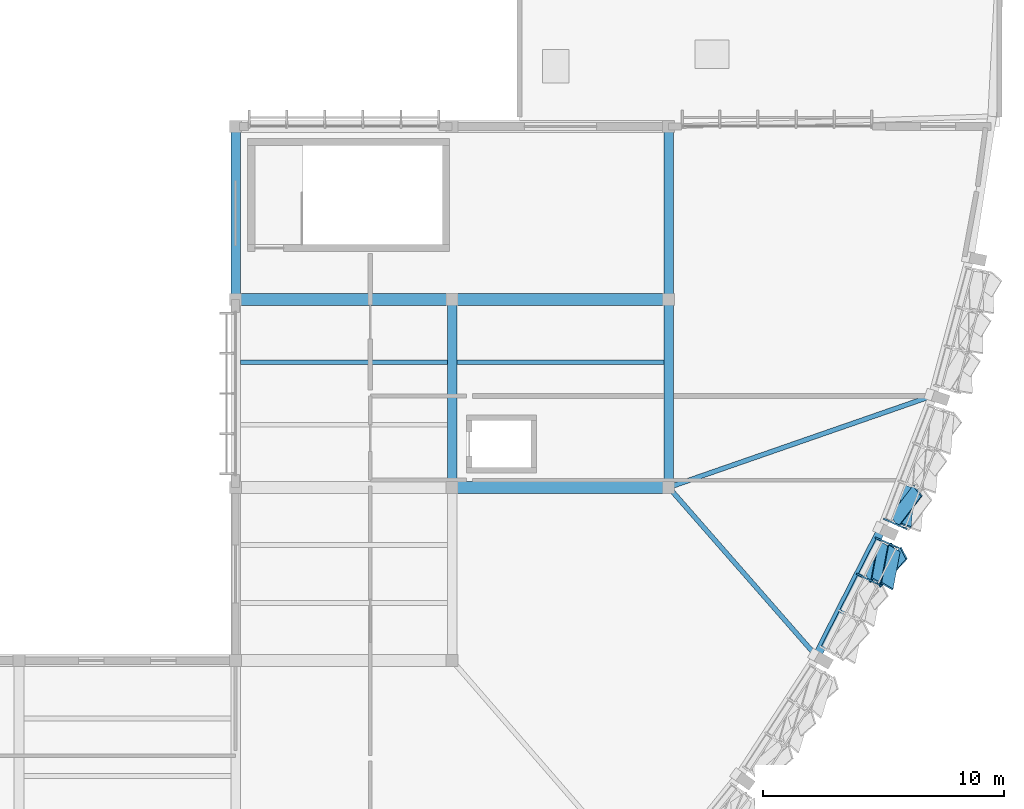
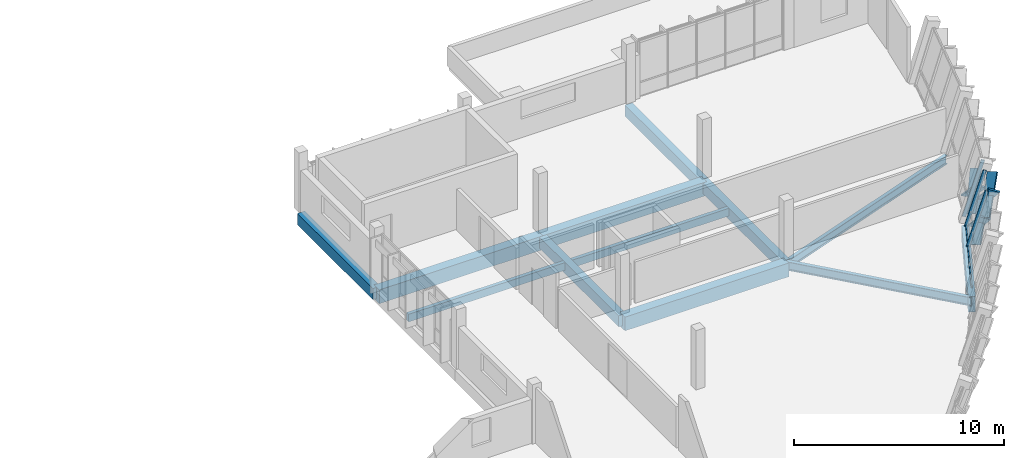
# One storey, part 13 of 24: 12 beams, 10 members, 2 elements without a shape of their own.
"""IFC4 building model written with IfcOpenShell, lengths in metres."""

from ifc_helpers import new_model, si_unit, direction, frame, origin, origin_2d, place, context, subcontext, project, spatial, rectangle, hollow_rectangle, i_section, extrude, material, material_profile, profile_set, type_object, element, aggregate, save


model = new_model("IFC4")

# Units and contexts
model_context = context("Model", 3, precision=1e-05, world=origin(), true_north=direction((0.0, 1.0)))
body_context = subcontext(model_context, "Body", "Model", "MODEL_VIEW")
ifc_project = project(units=[si_unit("LENGTHUNIT", "METRE"), si_unit("AREAUNIT", "SQUARE_METRE"), si_unit("VOLUMEUNIT", "CUBIC_METRE"), si_unit("PLANEANGLEUNIT", "RADIAN"), si_unit("MASSUNIT", "GRAM", prefix="KILO")], contexts=[model_context])

# Site, building, storey
site_placement = place(None, origin())
site = spatial("IfcSite", under=ifc_project, at=site_placement, CompositionType="ELEMENT")
building_placement = place(site_placement, origin())
building = spatial("IfcBuilding", under=site, at=building_placement, Name="Chiffa Square Polytechnic", CompositionType="ELEMENT")
storey_placement = place(building_placement, frame((0.0, 0.0, 26.39990234375)))
storey = spatial("IfcBuildingStorey", under=building, at=storey_placement, Name="L06", CompositionType="ELEMENT", Elevation=26.39990234375)

# Beams
ifc_material_1 = material(Name="Concrete C35/45", Category="concrete")
ifc_material_profile_1 = material_profile(ifc_material_1, rectangle(XDim=0.39990234375, YDim=0.64990234375, at=origin_2d()), Name="RC 400x650")
ifc_profile_set_1 = profile_set([ifc_material_profile_1], Name="Concrete C35/45")
beam_type_1 = type_object("IfcBeamType", Name="BM-RC-400X650", PredefinedType="BEAM", material=ifc_profile_set_1)
beam_1_placement = place(storey_placement, frame((148.199951171875, 43.800048828125, -0.544921875), z_axis=(0.0, 1.0, 0.0), x_axis=(-1.0, 0.0, 0.0)))
element("IfcBeam", 1, at=beam_1_placement, inside=storey, type_object=beam_type_1, Name="Primary floor girder BM-V1-L06-Y-1482-0438", PredefinedType="BEAM", context=body_context, shape_type="SweptSolid", body=[
    extrude(rectangle(XDim=0.39990234375, YDim=0.64990234375, at=origin_2d()), origin(), (0.0, 0.0, 1.0), 7.199951171875),
])
for number, where, z_axis, x_axis, name in (
    (2, (157.199951171875, 36.0, -0.544921875), (0.0, 1.0, 0.0), (-1.0, 0.0, 0.0), "Primary floor girder BM-V1-L06-Y-1572-0360"),
    (3, (166.199951171875, 36.0, -0.544921875), (0.0, 1.0, 0.0), (-1.0, 0.0, 0.0), "Primary floor girder BM-V1-L06-Y-1662-0360"),
):
    element("IfcBeam", number, at=place(storey_placement, frame(where, z_axis=z_axis, x_axis=x_axis)), inside=storey, type_object=beam_type_1, Name=name, PredefinedType="BEAM", context=body_context, shape_type="SweptSolid", body=[
        extrude(rectangle(XDim=0.39990234375, YDim=0.64990234375, at=origin_2d()), origin(), (0.0, 0.0, 1.0), 7.800048828125),
    ])
beam_2_placement = place(storey_placement, frame((166.199951171875, 43.800048828125, -0.544921875), z_axis=(0.0, 1.0, 0.0), x_axis=(-1.0, 0.0, 0.0)))
element("IfcBeam", 4, at=beam_2_placement, inside=storey, type_object=beam_type_1, Name="Primary floor girder BM-V1-L06-Y-1662-0438", PredefinedType="BEAM", context=body_context, shape_type="SweptSolid", body=[
    extrude(rectangle(XDim=0.39990234375, YDim=0.64990234375, at=origin_2d()), origin(), (0.0, 0.0, 1.0), 7.199951171875),
])
ifc_material_2 = material(Name="Concrete C40/50", Category="concrete")
ifc_material_profile_2 = material_profile(ifc_material_2, rectangle(XDim=0.5, YDim=0.800048828125, at=origin_2d()), Name="RC 500x800")
ifc_profile_set_2 = profile_set([ifc_material_profile_2], Name="Concrete C40/50")
beam_type_2 = type_object("IfcBeamType", Name="BM-RC-500X800", PredefinedType="BEAM", material=ifc_profile_set_2)
for number, where, z_axis, x_axis, name in (
    (5, (157.199951171875, 36.0, -0.619873046875), (1.0, 0.0, 0.0), (0.0, 1.0, 0.0), "Primary floor girder BM-V1-L06-X-1572-0360"),
    (6, (148.199951171875, 43.800048828125, -0.619873046875), (1.0, 0.0, 0.0), (0.0, 1.0, 0.0), "Primary floor girder BM-V1-L06-X-1482-0438"),
    (7, (157.199951171875, 43.800048828125, -0.619873046875), (1.0, 0.0, 0.0), (0.0, 1.0, 0.0), "Primary floor girder BM-V1-L06-X-1572-0438"),
):
    element("IfcBeam", number, at=place(storey_placement, frame(where, z_axis=z_axis, x_axis=x_axis)), inside=storey, type_object=beam_type_2, Name=name, PredefinedType="BEAM", context=body_context, shape_type="SweptSolid", body=[
        extrude(rectangle(XDim=0.5, YDim=0.800048828125, at=origin_2d()), origin(), (0.0, 0.0, 1.0), 9.0),
    ])
ifc_material_3 = material(Name="Steel S355", Category="steel")
ifc_material_profile_3 = material_profile(ifc_material_3, i_section(OverallWidth=0.199951171875, OverallDepth=0.5, WebThickness=0.01025390625, FlangeThickness=0.01611328125, FilletRadius=0.02099609375, at=origin_2d()), Name="IPE 500")
ifc_profile_set_3 = profile_set([ifc_material_profile_3], Name="Steel S355")
beam_type_3 = type_object("IfcBeamType", Name="BM-STL-IPE500", PredefinedType="BEAM", material=ifc_profile_set_3)
beam_3_placement = place(storey_placement, frame((172.35009765625, 28.972900390625, -0.469970703125), z_axis=(-0.658591595642, 0.752500571528, 0.0), x_axis=(-0.752500571528, -0.658591595642, 0.0)))
element("IfcBeam", 8, at=beam_3_placement, inside=storey, type_object=beam_type_3, Name="Prow radial tie girder BM-V1-RAD-L06-13", PredefinedType="BEAM", context=body_context, shape_type="SweptSolid", body=[
    extrude(i_section(OverallWidth=0.199951171875, OverallDepth=0.5, WebThickness=0.01025390625, FlangeThickness=0.01611328125, FilletRadius=0.02099609375, at=origin_2d()), origin(), (0.0, 0.0, 1.0), 9.33837890625),
])
beam_4_placement = place(storey_placement, frame((177.176025390625, 39.81201171875, -0.469970703125), z_axis=(-0.944650331432, -0.328078879732, 0.0), x_axis=(0.328078879732, -0.944650331432, 0.0)))
element("IfcBeam", 9, at=beam_4_placement, inside=storey, type_object=beam_type_3, Name="Prow radial tie girder BM-V1-RAD-L06-15", PredefinedType="BEAM", context=body_context, shape_type="SweptSolid", body=[
    extrude(i_section(OverallWidth=0.199951171875, OverallDepth=0.5, WebThickness=0.01025390625, FlangeThickness=0.01611328125, FilletRadius=0.02099609375, at=origin_2d()), origin(), (0.0, 0.0, 1.0), 11.619140625),
])

# Curtain wall, members
ifc_material_4 = material(Name="Aluminium EN AW-6060 T66 and glulam shading", Category="wood")
curtain_wall_type_1 = type_object("IfcCurtainWallType", Name="CW-PROW-LEAN-150", PredefinedType="USERDEFINED", material=ifc_material_4)
curtain_wall_1_placement = place(storey_placement, origin())
curtain_wall_1 = element("IfcCurtainWall", 10, at=curtain_wall_1_placement, inside=storey, type_object=curtain_wall_type_1, Name="Outward-leaning diamond-fin prow curtain wall CW-V1-L06-107", ObjectType="CURTAIN WALL", PredefinedType="USERDEFINED")
ifc_material_5 = material(Name="Aluminium EN AW-6060 T66", Category="aluminium")
ifc_material_profile_4 = material_profile(ifc_material_5, hollow_rectangle(XDim=0.06494140625, YDim=0.179931640625, WallThickness=0.00390625, at=origin_2d()), Name="ALU 65x180x4")
ifc_profile_set_4 = profile_set([ifc_material_profile_4], Name="Aluminium EN AW-6060 T66")
member_type_1 = type_object("IfcMemberType", Name="CWM-ALU-75X180", PredefinedType="MULLION", material=ifc_profile_set_4)
member_1_placement = place(storey_placement, frame((174.0830078125, 32.3740234375, 0.0), z_axis=(0.244430956723, -0.11925600041, 0.962305312134), x_axis=(0.438487153742, 0.89873745666, 0.0)))
member_1 = element("IfcMember", 11, at=member_1_placement, type_object=member_type_1, Name="Leaning prow mullion CW-V1-L06-107-M02", PredefinedType="MULLION", context=body_context, shape_type="SweptSolid", body=[
    extrude(hollow_rectangle(XDim=0.06494140625, YDim=0.179931640625, WallThickness=0.00390625, at=origin_2d()), origin(), (0.0, 0.0, 1.0), 3.341064453125),
])
member_2_placement = place(storey_placement, frame((174.85205078125, 33.883056640625, 0.0), z_axis=(0.248720366979, -0.110769705153, 0.962220479656), x_axis=(0.40683553357, 0.913501422344, 0.0)))
member_2 = element("IfcMember", 12, at=member_2_placement, type_object=member_type_1, Name="Leaning prow mullion CW-V1-L06-107-M03", PredefinedType="MULLION", context=body_context, shape_type="SweptSolid", body=[
    extrude(hollow_rectangle(XDim=0.06494140625, YDim=0.179931640625, WallThickness=0.00390625, at=origin_2d()), origin(), (0.0, 0.0, 1.0), 3.34130859375),
])

# Curtain wall, member
curtain_wall_type_2 = type_object("IfcCurtainWallType", Name="CW-PROW-LEAN-300", PredefinedType="USERDEFINED", material=ifc_material_4)
curtain_wall_2_placement = place(storey_placement, origin())
curtain_wall_2 = element("IfcCurtainWall", 13, at=curtain_wall_2_placement, inside=storey, type_object=curtain_wall_type_2, Name="Outward-leaning diamond-fin prow curtain wall CW-V1-L06-108", ObjectType="CURTAIN WALL", PredefinedType="USERDEFINED")
member_3_placement = place(storey_placement, frame((175.200927734375, 34.6669921875, 0.0), z_axis=(0.248722379388, -0.110697533717, 0.962228265029), x_axis=(0.406611553567, 0.913601140819, 0.0)))
member_3 = element("IfcMember", 14, at=member_3_placement, type_object=member_type_1, Name="Leaning prow mullion CW-V1-L06-108-M00", PredefinedType="MULLION", context=body_context, shape_type="SweptSolid", body=[
    extrude(hollow_rectangle(XDim=0.06494140625, YDim=0.179931640625, WallThickness=0.00390625, at=origin_2d()), origin(), (0.0, 0.0, 1.0), 3.34130859375),
])

# Member
ifc_material_6 = material(Name="Glulam GL28h", Category="wood")
ifc_material_profile_5 = material_profile(ifc_material_6, rectangle(XDim=0.080078125, YDim=0.580078125, at=origin_2d()), Name="GL28h 80x580")
ifc_profile_set_5 = profile_set([ifc_material_profile_5], Name="Glulam GL28h")
member_type_2 = type_object("IfcMemberType", Name="CWM-GL-80X580", PredefinedType="MULLION", material=ifc_profile_set_5)
member_4_placement = place(storey_placement, frame((174.469970703125, 32.281982421875, 0.0400390625), z_axis=(0.487277547505, 0.519937486241, 0.701587914733), x_axis=(-0.758723409363, -0.145672364726, 0.634916018257)))
member_4 = element("IfcMember", 15, at=member_4_placement, type_object=member_type_2, Name="Diamond glulam fin CW-V1-L06-107-DF05A", PredefinedType="MULLION", context=body_context, shape_type="SweptSolid", body=[
    extrude(rectangle(XDim=0.080078125, YDim=0.580078125, at=origin_2d()), origin(), (0.0, 0.0, 1.0), 2.235107421875),
])

member_5_placement = place(storey_placement, frame((175.154052734375, 33.625, 0.0400390625), z_axis=(-0.129214663665, -0.694142937234, 0.708144867511), x_axis=(0.561793296807, 0.537222792356, 0.629110453765)))
member_5 = element("IfcMember", 16, at=member_5_placement, type_object=member_type_2, Name="Diamond glulam fin CW-V1-L06-107-DF05B", PredefinedType="MULLION", context=body_context, shape_type="SweptSolid", body=[
    extrude(rectangle(XDim=0.080078125, YDim=0.580078125, at=origin_2d()), origin(), (0.0, 0.0, 1.0), 2.21435546875),
])

member_6_placement = place(storey_placement, frame((174.867919921875, 32.087890625, 1.608154296875), z_axis=(0.488401968425, 0.523536453013, 0.698121121014), x_axis=(-0.756280519791, -0.145151848753, 0.63794256496)))
member_6 = element("IfcMember", 17, at=member_6_placement, type_object=member_type_2, Name="Diamond glulam fin CW-V1-L06-107-DF06A", PredefinedType="MULLION", context=body_context, shape_type="SweptSolid", body=[
    extrude(rectangle(XDim=0.080078125, YDim=0.580078125, at=origin_2d()), origin(), (0.0, 0.0, 1.0), 2.244384765625),
])

member_7_placement = place(storey_placement, frame((175.55908203125, 33.444091796875, 1.608154296875), z_axis=(-0.131372927003, -0.696957543342, 0.704976125007), x_axis=(0.562485922649, 0.533174191277, 0.631929480701)))
member_7 = element("IfcMember", 18, at=member_7_placement, type_object=member_type_2, Name="Diamond glulam fin CW-V1-L06-107-DF06B", PredefinedType="MULLION", context=body_context, shape_type="SweptSolid", body=[
    extrude(rectangle(XDim=0.080078125, YDim=0.580078125, at=origin_2d()), origin(), (0.0, 0.0, 1.0), 2.22265625),
])

member_8_placement = place(storey_placement, frame((175.594970703125, 34.614990234375, 0.0400390625), z_axis=(0.429443075783, 0.560425970271, 0.708167618935), x_axis=(-0.686581544037, -0.306803088909, 0.659149184952)))
member_8 = element("IfcMember", 19, at=member_8_placement, type_object=member_type_2, Name="Diamond glulam fin CW-V1-L06-108-DF01A", PredefinedType="MULLION", context=body_context, shape_type="SweptSolid", body=[
    extrude(rectangle(XDim=0.080078125, YDim=0.580078125, at=origin_2d()), origin(), (0.0, 0.0, 1.0), 2.21435546875),
])

member_9_placement = place(storey_placement, frame((176.135009765625, 36.02294921875, 0.0400390625), z_axis=(-0.060386599074, -0.710225027813, 0.701379974422), x_axis=(0.412553074582, 0.622080008205, 0.665444531155)))
member_9 = element("IfcMember", 20, at=member_9_placement, type_object=member_type_2, Name="Diamond glulam fin CW-V1-L06-108-DF01B", PredefinedType="MULLION", context=body_context, shape_type="SweptSolid", body=[
    extrude(rectangle(XDim=0.080078125, YDim=0.580078125, at=origin_2d()), origin(), (0.0, 0.0, 1.0), 2.23583984375),
])

aggregate(curtain_wall_2, [member_3, member_8, member_9])

ifc_material_profile_6 = material_profile(ifc_material_5, hollow_rectangle(XDim=0.06494140625, YDim=0.139892578125, WallThickness=0.00390625, at=origin_2d()), Name="ALU 65x140x4")
ifc_profile_set_6 = profile_set([ifc_material_profile_6], Name="Aluminium EN AW-6060 T66")
member_type_3 = type_object("IfcMemberType", Name="CWT-ALU-75X140", PredefinedType="USERDEFINED", material=ifc_profile_set_6)
member_10_placement = place(storey_placement, frame((172.5546875, 29.350341796875, 0.0400390625), z_axis=(0.454060346632, 0.89097093197, 0.0), x_axis=(-0.89097093197, 0.454060346632, 0.0)))
member_10 = element("IfcMember", 21, at=member_10_placement, type_object=member_type_3, Name="Leaning prow transom CW-V1-L06-107-T01", ObjectType="TRANSOM", PredefinedType="USERDEFINED", context=body_context, shape_type="SweptSolid", body=[
    extrude(hollow_rectangle(XDim=0.06494140625, YDim=0.139892578125, WallThickness=0.00390625, at=origin_2d()), origin(), (0.0, 0.0, 1.0), 5.082275390625),
])

aggregate(curtain_wall_1, [member_1, member_2, member_10, member_4, member_5, member_6, member_7])

# Beams
ifc_material_profile_7 = material_profile(ifc_material_6, rectangle(XDim=0.199951171875, YDim=0.43994140625, at=origin_2d()), Name="GL28h 200x440")
ifc_profile_set_7 = profile_set([ifc_material_profile_7], Name="Glulam GL28h")
beam_type_4 = type_object("IfcBeamType", Name="JST-GL-200X440", PredefinedType="JOIST", material=ifc_profile_set_7)
for number, where, z_axis, x_axis, name in (
    (22, (148.39794921875, 41.199951171875, -0.43994140625), (1.0, 0.0, 0.0), (0.0, 1.0, 0.0), "Secondary floor joist JST-V1-L06-1482-0412"),
    (23, (157.39794921875, 41.199951171875, -0.43994140625), (1.0, 0.0, 0.0), (0.0, 1.0, 0.0), "Secondary floor joist JST-V1-L06-1572-0412"),
):
    element("IfcBeam", number, at=place(storey_placement, frame(where, z_axis=z_axis, x_axis=x_axis)), inside=storey, type_object=beam_type_4, Name=name, PredefinedType="JOIST", context=body_context, shape_type="SweptSolid", body=[
        extrude(rectangle(XDim=0.199951171875, YDim=0.43994140625, at=origin_2d()), origin(), (0.0, 0.0, 1.0), 8.60400390625),
    ])
ifc_material_7 = material(Name="Glulam GL32c", Category="wood")
ifc_material_profile_8 = material_profile(ifc_material_7, rectangle(XDim=0.360107421875, YDim=0.89990234375, at=origin_2d()), Name="GL32c 360x900")
ifc_profile_set_8 = profile_set([ifc_material_profile_8], Name="Glulam GL32c")
beam_type_5 = type_object("IfcBeamType", Name="RB-GL-360X900", PredefinedType="SPANDREL", material=ifc_profile_set_8)
beam_5_placement = place(storey_placement, frame((172.35009765625, 28.972900390625, -0.669921875), z_axis=(0.453989805769, 0.891006877784, 0.0), x_axis=(-0.891006877784, 0.453989805769, 0.0)))
element("IfcBeam", 24, at=beam_5_placement, inside=storey, type_object=beam_type_5, Name="Prow perimeter edge beam RB-V1-PROW-L06-13", PredefinedType="SPANDREL", context=body_context, shape_type="SweptSolid", body=[
    extrude(rectangle(XDim=0.360107421875, YDim=0.89990234375, at=origin_2d()), origin(), (0.0, 0.0, 1.0), 5.940673828125),
])

save(model, "model.ifc")
